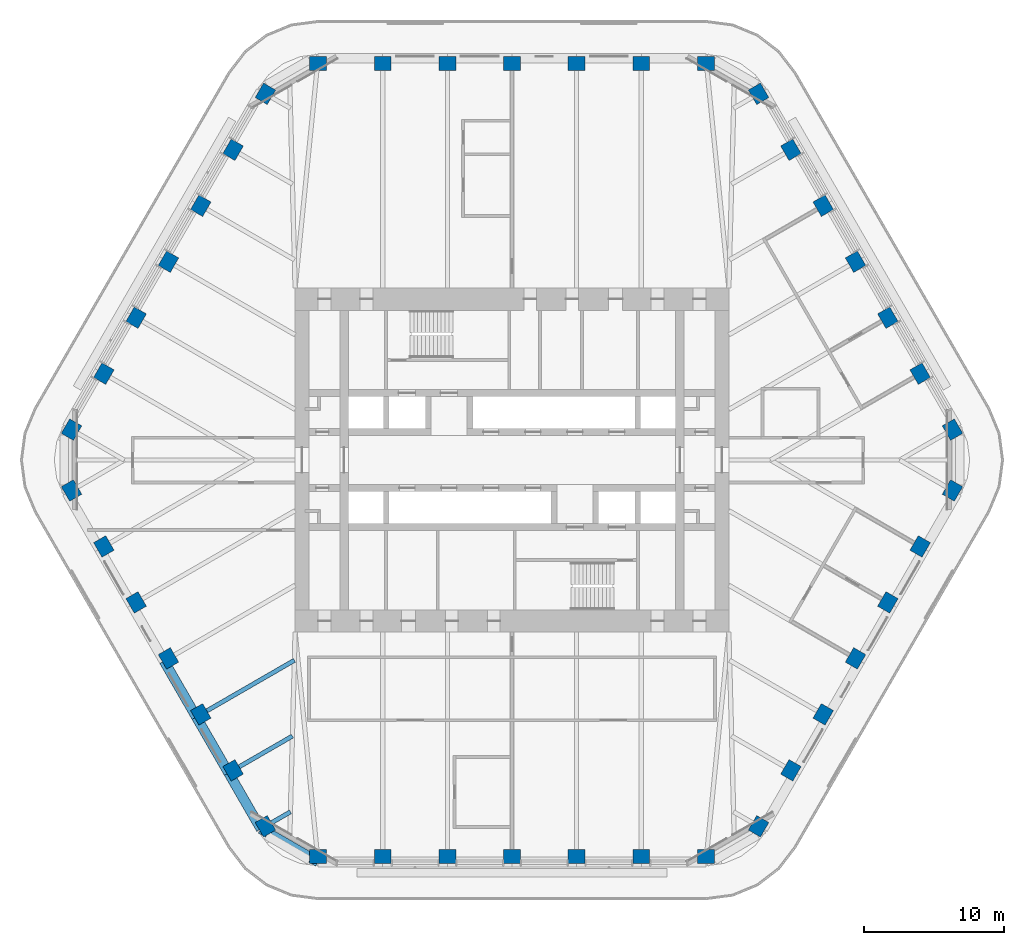
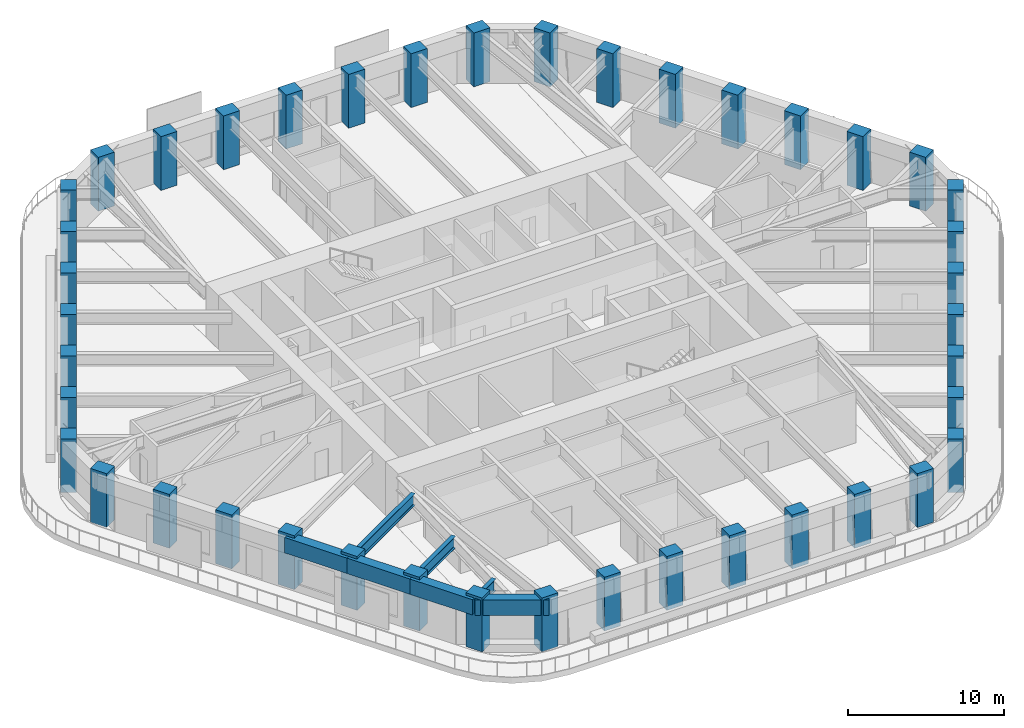
# One storey, part 1 of 20: 42 columns, 7 beams.
"""IFC4 building model written with IfcOpenShell, lengths in metres."""

from ifc_helpers import new_model, si_unit, direction, frame, origin, origin_2d, place, context, subcontext, project, spatial, rectangle, i_section, extrude, material, material_profile, profile_set, type_object, element, save


model = new_model("IFC4")

# Units and contexts
model_context = context("Model", 3, precision=1e-05, world=origin(), true_north=direction((0.0, 1.0)))
body_context = subcontext(model_context, "Body", "Model", "MODEL_VIEW")
ifc_project = project(units=[si_unit("LENGTHUNIT", "METRE"), si_unit("AREAUNIT", "SQUARE_METRE"), si_unit("VOLUMEUNIT", "CUBIC_METRE"), si_unit("PLANEANGLEUNIT", "RADIAN"), si_unit("MASSUNIT", "GRAM", prefix="KILO")], contexts=[model_context])

# Site, building, storey
site_placement = place(None, origin())
site = spatial("IfcSite", under=ifc_project, at=site_placement, CompositionType="ELEMENT")
building_placement = place(site_placement, origin())
building = spatial("IfcBuilding", under=site, at=building_placement, Name="Tarfa Lantern Tower", CompositionType="ELEMENT")
storey_placement = place(building_placement, frame((0.0, 0.0, 261.699951171875)))
storey = spatial("IfcBuildingStorey", under=building, at=storey_placement, Name="L59", CompositionType="ELEMENT", Elevation=261.699951171875)

# Columns
ifc_material_1 = material(Name="Concrete C80/95", Category="concrete")
ifc_material_profile_1 = material_profile(ifc_material_1, rectangle(XDim=1.199951171875, YDim=1.0, at=origin_2d()), Name="RC 1200x1000")
ifc_profile_set_1 = profile_set([ifc_material_profile_1], Name="Concrete C80/95")
column_type = type_object("IfcColumnType", Name="TC11 RC 1200x1000", PredefinedType="COLUMN", material=ifc_profile_set_1)
for number, where, z_axis, x_axis, name in (
    (1, (31.47998046875, 2.175048828125, 0.0), (0.0, 0.0, 1.0), (-0.5, 0.866025403784, 0.0), "Tube column NE0"),
    (2, (29.170654296875, 6.175048828125, 0.0), (0.0, 0.0, 1.0), (-0.5, 0.866025403784, 0.0), "Tube column NE1"),
    (3, (26.861328125, 10.175048828125, 0.0), (0.0, 0.0, 1.0), (-0.5, 0.866025403784, 0.0), "Tube column NE2"),
    (4, (24.5517578125, 14.175048828125, 0.0), (0.0, 0.0, 1.0), (-0.5, 0.866025403784, 0.0), "Tube column NE3"),
    (5, (22.242431640625, 18.175048828125, 0.0), (0.0, 0.0, 1.0), (-0.5, 0.866025403784, 0.0), "Tube column NE4"),
    (6, (19.93310546875, 22.175048828125, 0.0), (0.0, 0.0, 1.0), (-0.5, 0.866025403784, 0.0), "Tube column NE5"),
    (7, (17.62353515625, 26.175048828125, 0.0), (0.0, 0.0, 1.0), (-0.5, 0.866025403784, 0.0), "Tube column NE6"),
    (8, (13.8564453125, 28.35009765625, 0.0), (0.0, 0.0, 1.0), (-1.0, 0.0, 0.0), "Tube column N0"),
    (9, (9.237548828125, 28.35009765625, 0.0), (0.0, 0.0, 1.0), (-1.0, 0.0, 0.0), "Tube column N1"),
    (10, (4.618896484375, 28.35009765625, 0.0), (0.0, 0.0, 1.0), (-1.0, 0.0, 0.0), "Tube column N2"),
    (11, (0.0, 28.35009765625, 0.0), (0.0, 0.0, 1.0), (-1.0, 0.0, 0.0), "Tube column N3"),
    (12, (-4.618896484375, 28.35009765625, 0.0), (0.0, 0.0, 1.0), (-1.0, 0.0, 0.0), "Tube column N4"),
    (13, (-9.237548828125, 28.35009765625, 0.0), (0.0, 0.0, 1.0), (-1.0, 0.0, 0.0), "Tube column N5"),
    (14, (-13.8564453125, 28.35009765625, 0.0), (0.0, 0.0, 1.0), (-1.0, 0.0, 0.0), "Tube column N6"),
    (15, (-17.62353515625, 26.175048828125, 0.0), (0.0, 0.0, 1.0), (-0.5, -0.866025403784, 0.0), "Tube column NW0"),
    (16, (-19.93310546875, 22.175048828125, 0.0), (0.0, 0.0, 1.0), (-0.5, -0.866025403784, 0.0), "Tube column NW1"),
    (17, (-22.242431640625, 18.175048828125, 0.0), (0.0, 0.0, 1.0), (-0.5, -0.866025403784, 0.0), "Tube column NW2"),
    (18, (-24.5517578125, 14.175048828125, 0.0), (0.0, 0.0, 1.0), (-0.5, -0.866025403784, 0.0), "Tube column NW3"),
    (19, (-26.861328125, 10.175048828125, 0.0), (0.0, 0.0, 1.0), (-0.5, -0.866025403784, 0.0), "Tube column NW4"),
    (20, (-29.170654296875, 6.175048828125, 0.0), (0.0, 0.0, 1.0), (-0.5, -0.866025403784, 0.0), "Tube column NW5"),
    (21, (-31.47998046875, 2.175048828125, 0.0), (0.0, 0.0, 1.0), (-0.5, -0.866025403784, 0.0), "Tube column NW6"),
    (22, (-31.47998046875, -2.175048828125, 0.0), (0.0, 0.0, 1.0), (0.5, -0.866025403784, 0.0), "Tube column SW0"),
    (23, (-29.170654296875, -6.175048828125, 0.0), (0.0, 0.0, 1.0), (0.5, -0.866025403784, 0.0), "Tube column SW1"),
    (24, (-26.861328125, -10.175048828125, 0.0), (0.0, 0.0, 1.0), (0.5, -0.866025403784, 0.0), "Tube column SW2"),
    (25, (-24.5517578125, -14.175048828125, 0.0), (0.0, 0.0, 1.0), (0.5, -0.866025403784, 0.0), "Tube column SW3"),
    (26, (-22.242431640625, -18.175048828125, 0.0), (0.0, 0.0, 1.0), (0.5, -0.866025403784, 0.0), "Tube column SW4"),
    (27, (-19.93310546875, -22.175048828125, 0.0), (0.0, 0.0, 1.0), (0.5, -0.866025403784, 0.0), "Tube column SW5"),
    (28, (-17.62353515625, -26.175048828125, 0.0), (0.0, 0.0, 1.0), (0.5, -0.866025403784, 0.0), "Tube column SW6"),
    (29, (-13.8564453125, -28.35009765625, 0.0), (0.0, 0.0, 1.0), (1.0, 0.0, 0.0), "Tube column S0"),
    (30, (-9.237548828125, -28.35009765625, 0.0), (0.0, 0.0, 1.0), (1.0, 0.0, 0.0), "Tube column S1"),
    (31, (-4.618896484375, -28.35009765625, 0.0), (0.0, 0.0, 1.0), (1.0, 0.0, 0.0), "Tube column S2"),
    (32, (0.0, -28.35009765625, 0.0), (0.0, 0.0, 1.0), (1.0, 0.0, 0.0), "Tube column S3"),
    (33, (4.618896484375, -28.35009765625, 0.0), (0.0, 0.0, 1.0), (1.0, 0.0, 0.0), "Tube column S4"),
    (34, (9.237548828125, -28.35009765625, 0.0), (0.0, 0.0, 1.0), (1.0, 0.0, 0.0), "Tube column S5"),
    (35, (13.8564453125, -28.35009765625, 0.0), (0.0, 0.0, 1.0), (1.0, 0.0, 0.0), "Tube column S6"),
    (36, (17.62353515625, -26.175048828125, 0.0), (0.0, 0.0, 1.0), (0.5, 0.866025403784, 0.0), "Tube column SE0"),
    (37, (19.93310546875, -22.175048828125, 0.0), (0.0, 0.0, 1.0), (0.5, 0.866025403784, 0.0), "Tube column SE1"),
    (38, (22.242431640625, -18.175048828125, 0.0), (0.0, 0.0, 1.0), (0.5, 0.866025403784, 0.0), "Tube column SE2"),
    (39, (24.5517578125, -14.175048828125, 0.0), (0.0, 0.0, 1.0), (0.5, 0.866025403784, 0.0), "Tube column SE3"),
    (40, (26.861328125, -10.175048828125, 0.0), (0.0, 0.0, 1.0), (0.5, 0.866025403784, 0.0), "Tube column SE4"),
    (41, (29.170654296875, -6.175048828125, 0.0), (0.0, 0.0, 1.0), (0.5, 0.866025403784, 0.0), "Tube column SE5"),
    (42, (31.47998046875, -2.175048828125, 0.0), (0.0, 0.0, 1.0), (0.5, 0.866025403784, 0.0), "Tube column SE6"),
):
    element("IfcColumn", number, at=place(storey_placement, frame(where, z_axis=z_axis, x_axis=x_axis)), inside=storey, type_object=column_type, Name=name, PredefinedType="COLUMN", context=body_context, shape_type="SweptSolid", body=[
        extrude(rectangle(XDim=1.199951171875, YDim=1.0, at=origin_2d()), origin(), (0.0, 0.0, 1.0), 4.199951171875),
    ])

# Beams
ifc_material_profile_2 = material_profile(ifc_material_1, rectangle(XDim=0.699951171875, YDim=1.199951171875, at=origin_2d()), Name="RC 700x1200")
ifc_profile_set_2 = profile_set([ifc_material_profile_2], Name="Concrete C80/95")
beam_type_1 = type_object("IfcBeamType", Name="EB3 RC 700x1200", PredefinedType="SPANDREL", material=ifc_profile_set_2)
beam_1_placement = place(storey_placement, frame((-24.872314453125, -14.360107421875, 3.400146484375), z_axis=(0.500027479704, -0.866009537788, 0.0), x_axis=(0.866009537788, 0.500027479704, 0.0)))
element("IfcBeam", 43, at=beam_1_placement, inside=storey, type_object=beam_type_1, Name="Edge beam SW3", PredefinedType="SPANDREL", context=body_context, shape_type="SweptSolid", body=[
    extrude(rectangle(XDim=0.699951171875, YDim=1.199951171875, at=origin_2d()), origin(), (0.0, 0.0, 1.0), 4.618896484375),
])
for number, where, z_axis, x_axis, name in (
    (44, (-22.562744140625, -18.360107421875, 3.400146484375), (0.499987836815, -0.866032426089, 0.0), (0.866032426089, 0.499987836815, 0.0), "Edge beam SW4"),
    (45, (-20.25341796875, -22.360107421875, 3.400146484375), (0.499987836815, -0.866032426089, 0.0), (0.866032426089, 0.499987836815, 0.0), "Edge beam SW5"),
):
    element("IfcBeam", number, at=place(storey_placement, frame(where, z_axis=z_axis, x_axis=x_axis)), inside=storey, type_object=beam_type_1, Name=name, PredefinedType="SPANDREL", context=body_context, shape_type="SweptSolid", body=[
        extrude(rectangle(XDim=0.699951171875, YDim=1.199951171875, at=origin_2d()), origin(), (0.0, 0.0, 1.0), 4.61865234375),
    ])
beam_2_placement = place(storey_placement, frame((-17.944091796875, -26.360107421875, 3.400146484375), z_axis=(0.866038294681, -0.499977671647, 0.0), x_axis=(0.499977671647, 0.866038294681, 0.0)))
element("IfcBeam", 46, at=beam_2_placement, inside=storey, type_object=beam_type_1, Name="Edge beam SW6", PredefinedType="SPANDREL", context=body_context, shape_type="SweptSolid", body=[
    extrude(rectangle(XDim=0.699951171875, YDim=1.199951171875, at=origin_2d()), origin(), (0.0, 0.0, 1.0), 4.719970703125),
])
ifc_material_2 = material(Name="Steel S460M", Category="steel")
ifc_material_profile_3 = material_profile(ifc_material_2, i_section(OverallWidth=0.305419921875, OverallDepth=0.91845703125, WebThickness=0.017333984375, FlangeThickness=0.02783203125, FilletRadius=0.01904296875, at=origin_2d()), Name="UB914x305x253")
ifc_profile_set_3 = profile_set([ifc_material_profile_3], Name="Steel S460M")
beam_type_2 = type_object("IfcBeamType", Name="UB914x305x253", PredefinedType="BEAM", material=ifc_profile_set_3)
beam_3_placement = place(storey_placement, frame((-22.562744140625, -18.360107421875, 3.540771484375), z_axis=(0.866010787764, 0.500025314835, 0.0), x_axis=(-0.500025314835, 0.866010787764, 0.0)))
element("IfcBeam", 47, at=beam_3_placement, inside=storey, type_object=beam_type_2, Name="Floor beam SW4", PredefinedType="BEAM", context=body_context, shape_type="SweptSolid", body=[
    extrude(i_section(OverallWidth=0.305419921875, OverallDepth=0.91845703125, WebThickness=0.017333984375, FlangeThickness=0.02783203125, FilletRadius=0.01904296875, at=origin_2d()), origin(), (0.0, 0.0, 1.0), 8.09423828125),
])
beam_4_placement = place(storey_placement, frame((-20.25341796875, -22.360107421875, 3.540771484375), z_axis=(0.86601951648, 0.500010196972, 0.0), x_axis=(-0.500010196972, 0.86601951648, 0.0)))
element("IfcBeam", 48, at=beam_4_placement, inside=storey, type_object=beam_type_2, Name="Floor beam SW5", PredefinedType="BEAM", context=body_context, shape_type="SweptSolid", body=[
    extrude(i_section(OverallWidth=0.305419921875, OverallDepth=0.91845703125, WebThickness=0.017333984375, FlangeThickness=0.02783203125, FilletRadius=0.01904296875, at=origin_2d()), origin(), (0.0, 0.0, 1.0), 5.263671875),
])
beam_5_placement = place(storey_placement, frame((-17.944091796875, -26.360107421875, 3.540771484375), z_axis=(0.865980009423, 0.5000786171, 0.0), x_axis=(-0.5000786171, 0.865980009423, 0.0)))
element("IfcBeam", 49, at=beam_5_placement, inside=storey, type_object=beam_type_2, Name="Floor beam SW6", PredefinedType="BEAM", context=body_context, shape_type="SweptSolid", body=[
    extrude(i_section(OverallWidth=0.305419921875, OverallDepth=0.91845703125, WebThickness=0.017333984375, FlangeThickness=0.02783203125, FilletRadius=0.01904296875, at=origin_2d()), origin(), (0.0, 0.0, 1.0), 2.4326171875),
])

save(model, "model.ifc")
